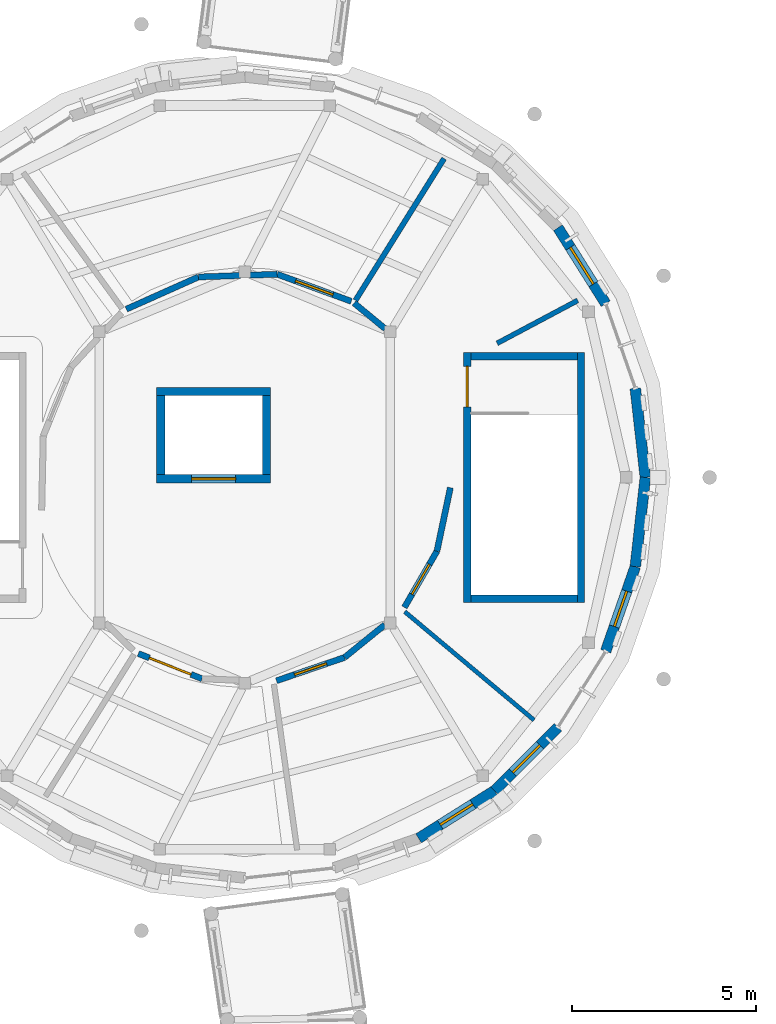
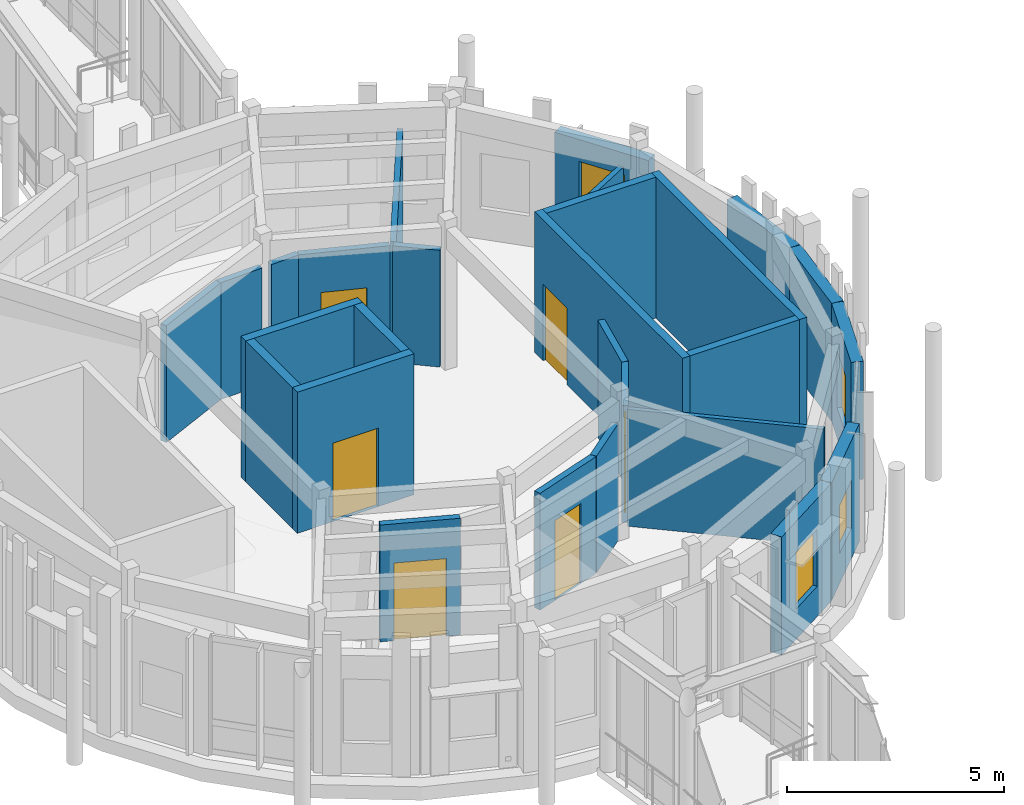
# One storey, part 46 of 80: 27 walls, 6 doors, 4 windows, 10 openings.
"""IFC4 building model written with IfcOpenShell, lengths in metres."""

from ifc_helpers import new_model, si_unit, direction, frame, frame_2d, origin, place, context, subcontext, project, spatial, rectangle, extrude, material, layer, layer_set, type_object, element, fill, save


model = new_model("IFC4")

# Units and contexts
model_context = context("Model", 3, precision=1e-05, world=origin(), true_north=direction((0.0, 1.0)))
body_context = subcontext(model_context, "Body", "Model", "MODEL_VIEW")
ifc_project = project(units=[si_unit("LENGTHUNIT", "METRE"), si_unit("AREAUNIT", "SQUARE_METRE"), si_unit("VOLUMEUNIT", "CUBIC_METRE"), si_unit("PLANEANGLEUNIT", "RADIAN"), si_unit("MASSUNIT", "GRAM", prefix="KILO")], contexts=[model_context])

# Site, building, storey
site_placement = place(None, origin())
site = spatial("IfcSite", under=ifc_project, at=site_placement, CompositionType="ELEMENT")
building_placement = place(site_placement, origin())
building = spatial("IfcBuilding", under=site, at=building_placement, Name="Aldenvaro Health Centre", CompositionType="ELEMENT")
storey_placement = place(building_placement, frame((0.0, 0.0, 4.550048828125)))
storey = spatial("IfcBuildingStorey", under=building, at=storey_placement, Name="L01", CompositionType="ELEMENT", Elevation=4.550048828125)

# Wall
ifc_material_1 = material(Name="Gypsum Stud Acoustic Assembly")
ifc_layer_1 = layer(ifc_material_1, 0.14501953125, Name="Gypsum Stud Acoustic Assembly")
ifc_layer_set_1 = layer_set([ifc_layer_1], Name="Gypsum Stud Acoustic Assembly")
wall_type_1 = type_object("IfcWallType", Name="WL-CLN-145", PredefinedType="PARTITIONING", material=ifc_layer_set_1)
wall_1_placement = place(storey_placement, frame((26.511962890625, 62.319091796875, 0.0), z_axis=(0.0, 0.0, 1.0), x_axis=(0.529892832375, 0.848064612042, 0.0)))
element("IfcWall", 1, at=wall_1_placement, inside=storey, type_object=wall_type_1, Name="D3 L01 clinical partition 1.1", PredefinedType="PARTITIONING", context=body_context, shape_type="SweptSolid", body=[
    extrude(rectangle(XDim=4.55029296875, YDim=0.14501953125, at=frame_2d((2.275146484375, 0.0))), origin(), (0.0, 0.0, 1.0), 3.279052734375),
])

# Wall, opening, door
ifc_layer_2 = layer(ifc_material_1, 0.1650390625, Name="Gypsum Stud Acoustic Assembly")
ifc_layer_set_2 = layer_set([ifc_layer_2], Name="Gypsum Stud Acoustic Assembly")
wall_type_2 = type_object("IfcWallType", Name="WL-COR-165", PredefinedType="PARTITIONING", material=ifc_layer_set_2)
wall_2_placement = place(storey_placement, frame((26.39697265625, 62.29296875, 0.0), z_axis=(0.0, 0.0, 1.0), x_axis=(-0.939190865756, 0.34339557027, 0.0)))
wall_2 = element("IfcWall", 2, at=wall_2_placement, inside=storey, type_object=wall_type_2, Name="D3 L01 corridor wall 01.1", PredefinedType="PARTITIONING", context=body_context, shape_type="SweptSolid", body=[
    extrude(rectangle(XDim=2.146484375, YDim=0.1650390625, at=frame_2d((1.0732421875, 0.0))), origin(), (0.0, 0.0, 1.0), 3.279052734375),
])
opening_1_placement = place(wall_2_placement, frame((0.532958984375, 0.0, 0.0)))
opening_1 = element("IfcOpeningElement", 3, at=opening_1_placement, cuts=wall_2, Name="Opening D-05", PredefinedType="OPENING", context=body_context, shape_type="SweptSolid", body=[
    extrude(rectangle(XDim=1.080078125, YDim=2.159912109375, at=frame_2d((0.5400390625, 1.080078125))), frame((0.0, 0.092529296875, 0.0), z_axis=(0.0, -1.0, 0.0), x_axis=(1.0, 0.0, 0.0)), (0.0, 0.0, 1.0), 0.18505859375),
])
ifc_material_2 = material(Name="Solid Core Acoustic Timber Door", Category="wood")
door_type_1 = type_object("IfcDoorType", Name="DR-CLN-05", OperationType="NOTDEFINED", PredefinedType="DOOR", material=ifc_material_2)
door_1_placement = place(opening_1_placement, origin())
door_1 = element("IfcDoor", 4, at=door_1_placement, inside=storey, type_object=door_type_1, Name="Pediatric Sensory Integration Gym Door", OperationType="SINGLE_SWING_RIGHT", OverallHeight=2.159912109375, OverallWidth=1.080078125, PredefinedType="DOOR", context=body_context, shape_type="SweptSolid", body=[
    extrude(rectangle(XDim=1.080078125, YDim=2.159912109375, at=frame_2d((0.5400390625, 1.080078125))), frame((0.0, 0.02490234375, 0.0), z_axis=(0.0, -1.0, 0.0), x_axis=(1.0, 0.0, 0.0)), (0.0, 0.0, 1.0), 0.050048828125),
])
fill(opening_1, door_1)

# Walls
wall_3_placement = place(storey_placement, frame((24.381103515625, 63.030029296875, 0.0), z_axis=(0.0, 0.0, 1.0), x_axis=(-0.999393961522, -0.034809620405, 0.0)))
element("IfcWall", 5, at=wall_3_placement, inside=storey, type_object=wall_type_2, Name="D3 L01 corridor wall 01.2", PredefinedType="PARTITIONING", context=body_context, shape_type="SweptSolid", body=[
    extrude(rectangle(XDim=0.75048828125, YDim=0.1650390625, at=frame_2d((0.375244140625, 0.0))), origin(), (0.0, 0.0, 1.0), 3.279052734375),
])
wall_4_placement = place(storey_placement, frame((23.3759765625, 62.9951171875, 0.0), z_axis=(0.0, 0.0, 1.0), x_axis=(-0.999383677093, -0.035103645972, 0.0)))
element("IfcWall", 6, at=wall_4_placement, inside=storey, type_object=wall_type_2, Name="D3 L01 corridor wall 01.3", PredefinedType="PARTITIONING", context=body_context, shape_type="SweptSolid", body=[
    extrude(rectangle(XDim=1.140625, YDim=0.1650390625, at=frame_2d((0.5703125, 0.0))), origin(), (0.0, 0.0, 1.0), 3.279052734375),
])
wall_5_placement = place(storey_placement, frame((22.236083984375, 62.955078125, 0.0), z_axis=(0.0, 0.0, 1.0), x_axis=(-0.912984379162, -0.407994513941, 0.0)))
element("IfcWall", 7, at=wall_5_placement, inside=storey, type_object=wall_type_2, Name="D3 L01 corridor wall 01.4", PredefinedType="PARTITIONING", context=body_context, shape_type="SweptSolid", body=[
    extrude(rectangle(XDim=2.14697265625, YDim=0.1650390625, at=frame_2d((1.073486328125, 0.0))), origin(), (0.0, 0.0, 1.0), 3.279052734375),
])

# Wall, opening, door
wall_6_placement = place(storey_placement, frame((20.60302734375, 52.70703125, 0.0), z_axis=(0.0, 0.0, 1.0), x_axis=(0.929969054131, -0.367637808663, 0.0)))
wall_6 = element("IfcWall", 8, at=wall_6_placement, inside=storey, type_object=wall_type_2, Name="D3 L01 corridor wall 04.1", PredefinedType="PARTITIONING", context=body_context, shape_type="SweptSolid", body=[
    extrude(rectangle(XDim=1.863525390625, YDim=0.1650390625, at=frame_2d((0.931640625, 0.0))), origin(), (0.0, 0.0, 1.0), 3.279052734375),
])
opening_2_placement = place(wall_6_placement, frame((0.321044921875, 0.0, 0.0)))
opening_2 = element("IfcOpeningElement", 9, at=opening_2_placement, cuts=wall_6, Name="Opening D-08", PredefinedType="OPENING", context=body_context, shape_type="SweptSolid", body=[
    extrude(rectangle(XDim=1.219970703125, YDim=2.179931640625, at=frame_2d((0.60986328125, 1.08984375))), frame((0.0, 0.092529296875, 0.0), z_axis=(0.0, -1.0, 0.0), x_axis=(1.0, 0.0, 0.0)), (0.0, 0.0, 1.0), 0.18505859375),
])
ifc_material_3 = material(Name="Procedure Suite Timber Door", Category="wood")
door_type_2 = type_object("IfcDoorType", Name="DR-CLN-08", OperationType="NOTDEFINED", PredefinedType="DOOR", material=ifc_material_3)
door_2_placement = place(opening_2_placement, origin())
door_2 = element("IfcDoor", 10, at=door_2_placement, inside=storey, type_object=door_type_2, Name="Pain Management Consulting Room Door", OperationType="SINGLE_SWING_RIGHT", OverallHeight=2.179931640625, OverallWidth=1.219970703125, PredefinedType="DOOR", context=body_context, shape_type="SweptSolid", body=[
    extrude(rectangle(XDim=1.219970703125, YDim=2.179931640625, at=frame_2d((0.60986328125, 1.08984375))), frame((0.0, 0.02490234375, 0.0), z_axis=(0.0, -1.0, 0.0), x_axis=(1.0, 0.0, 0.0)), (0.0, 0.0, 1.0), 0.050048828125),
])
fill(opening_2, door_2)

wall_7_placement = place(storey_placement, frame((24.362060546875, 51.967041015625, 0.0), z_axis=(0.0, 0.0, 1.0), x_axis=(0.94599509797, 0.32418092883, 0.0)))
wall_7 = element("IfcWall", 11, at=wall_7_placement, inside=storey, type_object=wall_type_2, Name="D3 L01 corridor wall 05.1", PredefinedType="PARTITIONING", context=body_context, shape_type="SweptSolid", body=[
    extrude(rectangle(XDim=1.958740234375, YDim=0.1650390625, at=frame_2d((0.9794921875, 0.0))), origin(), (0.0, 0.0, 1.0), 3.279052734375),
])
opening_3_placement = place(wall_7_placement, frame((0.52001953125, 0.0, 0.0)))
opening_3 = element("IfcOpeningElement", 12, at=opening_3_placement, cuts=wall_7, Name="Opening D-09", PredefinedType="OPENING", context=body_context, shape_type="SweptSolid", body=[
    extrude(rectangle(XDim=0.919921875, YDim=2.239990234375, at=frame_2d((0.4599609375, 1.1201171875))), frame((0.0, 0.092529296875, 0.0), z_axis=(0.0, -1.0, 0.0), x_axis=(1.0, 0.0, 0.0)), (0.0, 0.0, 1.0), 0.18505859375),
])
ifc_material_4 = material(Name="Tall Clinical Timber Door", Category="wood")
door_type_3 = type_object("IfcDoorType", Name="DR-CLN-09", OperationType="NOTDEFINED", PredefinedType="DOOR", material=ifc_material_4)
door_3_placement = place(opening_3_placement, origin())
door_3 = element("IfcDoor", 13, at=door_3_placement, inside=storey, type_object=door_type_3, Name="Rehab Care Team Workroom Door", OperationType="SINGLE_SWING_LEFT", OverallHeight=2.239990234375, OverallWidth=0.919921875, PredefinedType="DOOR", context=body_context, shape_type="SweptSolid", body=[
    extrude(rectangle(XDim=0.919921875, YDim=2.239990234375, at=frame_2d((0.4599609375, 1.1201171875))), frame((0.0, 0.02490234375, 0.0), z_axis=(0.0, -1.0, 0.0), x_axis=(1.0, 0.0, 0.0)), (0.0, 0.0, 1.0), 0.050048828125),
])
fill(opening_3, door_3)

# Wall
wall_8_placement = place(storey_placement, frame((26.215087890625, 52.60205078125, 0.0), z_axis=(0.0, 0.0, 1.0), x_axis=(0.77622027024, 0.630461808572, 0.0)))
element("IfcWall", 14, at=wall_8_placement, inside=storey, type_object=wall_type_2, Name="D3 L01 corridor wall 05.2", PredefinedType="PARTITIONING", context=body_context, shape_type="SweptSolid", body=[
    extrude(rectangle(XDim=1.4052734375, YDim=0.1650390625, at=frame_2d((0.70263671875, 0.0))), origin(), (0.0, 0.0, 1.0), 3.279052734375),
])

# Wall, opening, door
wall_9_placement = place(storey_placement, frame((27.843017578125, 53.964111328125, 0.0), z_axis=(0.0, 0.0, 1.0), x_axis=(0.500998134269, 0.865448363254, 0.0)))
wall_9 = element("IfcWall", 15, at=wall_9_placement, inside=storey, type_object=wall_type_2, Name="D3 L01 corridor wall 06.1", PredefinedType="PARTITIONING", context=body_context, shape_type="SweptSolid", body=[
    extrude(rectangle(XDim=1.7666015625, YDim=0.1650390625, at=frame_2d((0.88330078125, 0.0))), origin(), (0.0, 0.0, 1.0), 3.279052734375),
])
opening_4_placement = place(wall_9_placement, frame((0.407958984375, 0.0, 0.0)))
opening_4 = element("IfcOpeningElement", 16, at=opening_4_placement, cuts=wall_9, Name="Opening UD-02", PredefinedType="OPENING", context=body_context, shape_type="SweptSolid", body=[
    extrude(rectangle(XDim=0.949951171875, YDim=2.159912109375, at=frame_2d((0.47509765625, 1.080078125))), frame((0.0, 0.092529296875, 0.0), z_axis=(0.0, -1.0, 0.0), x_axis=(1.0, 0.0, 0.0)), (0.0, 0.0, 1.0), 0.18505859375),
])
ifc_material_5 = material(Name="Sterile Core Supply Door")
door_type_4 = type_object("IfcDoorType", Name="DR-STR-02", OperationType="NOTDEFINED", PredefinedType="DOOR", material=ifc_material_5)
door_4_placement = place(opening_4_placement, origin())
door_4 = element("IfcDoor", 17, at=door_4_placement, inside=storey, type_object=door_type_4, Name="Therapy Equipment Store Door", OperationType="SINGLE_SWING_RIGHT", OverallHeight=2.159912109375, OverallWidth=0.949951171875, PredefinedType="DOOR", context=body_context, shape_type="SweptSolid", body=[
    extrude(rectangle(XDim=0.949951171875, YDim=2.159912109375, at=frame_2d((0.47509765625, 1.080078125))), frame((0.0, 0.02490234375, 0.0), z_axis=(0.0, -1.0, 0.0), x_axis=(1.0, 0.0, 0.0)), (0.0, 0.0, 1.0), 0.050048828125),
])
fill(opening_4, door_4)

# Walls
wall_10_placement = place(storey_placement, frame((28.72802734375, 55.492919921875, 0.0), z_axis=(0.0, 0.0, 1.0), x_axis=(0.206546592113, 0.978436766116, 0.0)))
element("IfcWall", 18, at=wall_10_placement, inside=storey, type_object=wall_type_2, Name="D3 L01 corridor wall 06.2", PredefinedType="PARTITIONING", context=body_context, shape_type="SweptSolid", body=[
    extrude(rectangle(XDim=1.76708984375, YDim=0.1650390625, at=frame_2d((0.883544921875, 0.0))), origin(), (0.0, 0.0, 1.0), 3.279052734375),
])
wall_11_placement = place(storey_placement, frame((27.322021484375, 61.544921875, 0.0), z_axis=(0.0, 0.0, 1.0), x_axis=(-0.771070753982, 0.636749473775, 0.0)))
element("IfcWall", 19, at=wall_11_placement, inside=storey, type_object=wall_type_2, Name="D3 L01 corridor wall 07.1", PredefinedType="PARTITIONING", context=body_context, shape_type="SweptSolid", body=[
    extrude(rectangle(XDim=1.099609375, YDim=0.1650390625, at=frame_2d((0.5498046875, 0.0))), origin(), (0.0, 0.0, 1.0), 3.279052734375),
])
ifc_material_6 = material(Name="Cross-laminated timber CLT E1", Category="wood")
ifc_layer_3 = layer(ifc_material_6, 0.2900390625, Name="Cross-laminated timber CLT E1", Category="wood")
ifc_layer_set_3 = layer_set([ifc_layer_3], Name="Cross-laminated timber CLT E1")
wall_type_3 = type_object("IfcWallType", Name="WL-EXT-290", PredefinedType="ELEMENTEDWALL", material=ifc_layer_set_3)
wall_12_placement = place(storey_placement, frame((34.39990234375, 57.5, 0.0), z_axis=(0.0, 0.0, 1.0), x_axis=(-0.111847873866, -0.993725340882, 0.0)))
element("IfcWall", 20, at=wall_12_placement, inside=storey, type_object=wall_type_3, Name="D3 L01 exterior wall 01", PredefinedType="ELEMENTEDWALL", context=body_context, shape_type="SweptSolid", body=[
    extrude(rectangle(XDim=2.4404296875, YDim=0.2900390625, at=frame_2d((1.22021484375, 0.0))), origin(), (0.0, 0.0, 1.0), 3.31396484375),
])

# Wall, opening, window
wall_13_placement = place(storey_placement, frame((34.126953125, 55.074951171875, 0.0), z_axis=(0.0, 0.0, 1.0), x_axis=(-0.330176659411, -0.943919156274, 0.0)))
wall_13 = element("IfcWall", 21, at=wall_13_placement, inside=storey, type_object=wall_type_3, Name="D3 L01 exterior wall 02", PredefinedType="ELEMENTEDWALL", context=body_context, shape_type="SweptSolid", body=[
    extrude(rectangle(XDim=2.44091796875, YDim=0.2900390625, at=frame_2d((1.220458984375, 0.0))), origin(), (0.0, 0.0, 1.0), 3.31396484375),
])
opening_5_placement = place(wall_13_placement, frame((0.7099609375, 0.0, 0.85009765625)))
opening_5 = element("IfcOpeningElement", 22, at=opening_5_placement, cuts=wall_13, Name="Opening W-18", PredefinedType="OPENING", context=body_context, shape_type="SweptSolid", body=[
    extrude(rectangle(XDim=1.02001953125, YDim=1.60009765625, at=frame_2d((0.510009765625, 0.800048828125))), frame((0.0, 0.155029296875, 0.0), z_axis=(0.0, -1.0, 0.0), x_axis=(1.0, 0.0, 0.0)), (0.0, 0.0, 1.0), 0.31005859375),
])
ifc_material_7 = material(Name="Thermally Broken Aluminium Low-E Glass", Category="aluminium")
window_type_1 = type_object("IfcWindowType", Name="WN-EXT-18", PartitioningType="SINGLE_PANEL", PredefinedType="WINDOW", material=ifc_material_7)
window_1_placement = place(opening_5_placement, origin())
window_1 = element("IfcWindow", 23, at=window_1_placement, inside=storey, type_object=window_type_1, Name="D3 L01 clinical window 02", OverallHeight=1.60009765625, OverallWidth=1.02001953125, PartitioningType="SINGLE_PANEL", PredefinedType="WINDOW", context=body_context, shape_type="SweptSolid", body=[
    extrude(rectangle(XDim=1.02001953125, YDim=1.60009765625, at=frame_2d((0.510009765625, 0.800048828125))), frame((0.0, 0.030029296875, 0.0), z_axis=(0.0, -1.0, 0.0), x_axis=(1.0, 0.0, 0.0)), (0.0, 0.0, 1.0), 0.06005859375),
])
fill(opening_5, window_1)

wall_14_placement = place(storey_placement, frame((32.02197265625, 50.7041015625, 0.0), z_axis=(0.0, 0.0, 1.0), x_axis=(-0.707106781187, -0.707106781187, 0.0)))
wall_14 = element("IfcWall", 24, at=wall_14_placement, inside=storey, type_object=wall_type_3, Name="D3 L01 exterior wall 04", PredefinedType="ELEMENTEDWALL", context=body_context, shape_type="SweptSolid", body=[
    extrude(rectangle(XDim=2.44091796875, YDim=0.2900390625, at=frame_2d((1.220458984375, 0.0))), origin(), (0.0, 0.0, 1.0), 3.31396484375),
])
opening_6_placement = place(wall_14_placement, frame((0.695068359375, 0.0, 0.85009765625)))
opening_6 = element("IfcOpeningElement", 25, at=opening_6_placement, cuts=wall_14, Name="Opening W-19", PredefinedType="OPENING", context=body_context, shape_type="SweptSolid", body=[
    extrude(rectangle(XDim=1.050048828125, YDim=1.35009765625, at=frame_2d((0.52490234375, 0.675048828125))), frame((0.0, 0.155029296875, 0.0), z_axis=(0.0, -1.0, 0.0), x_axis=(1.0, 0.0, 0.0)), (0.0, 0.0, 1.0), 0.31005859375),
])
window_type_2 = type_object("IfcWindowType", Name="WN-EXT-19", PartitioningType="SINGLE_PANEL", PredefinedType="WINDOW", material=ifc_material_7)
window_2_placement = place(opening_6_placement, origin())
window_2 = element("IfcWindow", 26, at=window_2_placement, inside=storey, type_object=window_type_2, Name="D3 L01 clinical window 04", OverallHeight=1.35009765625, OverallWidth=1.050048828125, PartitioningType="SINGLE_PANEL", PredefinedType="WINDOW", context=body_context, shape_type="SweptSolid", body=[
    extrude(rectangle(XDim=1.050048828125, YDim=1.35009765625, at=frame_2d((0.52490234375, 0.675048828125))), frame((0.0, 0.030029296875, 0.0), z_axis=(0.0, -1.0, 0.0), x_axis=(1.0, 0.0, 0.0)), (0.0, 0.0, 1.0), 0.06005859375),
])
fill(opening_6, window_2)

wall_15_placement = place(storey_placement, frame((30.2958984375, 48.97802734375, 0.0), z_axis=(0.0, 0.0, 1.0), x_axis=(-0.846658434148, -0.532136726684, 0.0)))
wall_15 = element("IfcWall", 27, at=wall_15_placement, inside=storey, type_object=wall_type_3, Name="D3 L01 exterior wall 05", PredefinedType="ELEMENTEDWALL", context=body_context, shape_type="SweptSolid", body=[
    extrude(rectangle(XDim=2.441162109375, YDim=0.2900390625, at=frame_2d((1.220703125, 0.0))), origin(), (0.0, 0.0, 1.0), 3.31396484375),
])
opening_7_placement = place(wall_15_placement, frame((0.696044921875, 0.0, 0.85009765625)))
opening_7 = element("IfcOpeningElement", 28, at=opening_7_placement, cuts=wall_15, Name="Opening W-20", PredefinedType="OPENING", context=body_context, shape_type="SweptSolid", body=[
    extrude(rectangle(XDim=1.050048828125, YDim=1.60009765625, at=frame_2d((0.52490234375, 0.800048828125))), frame((0.0, 0.155029296875, 0.0), z_axis=(0.0, -1.0, 0.0), x_axis=(1.0, 0.0, 0.0)), (0.0, 0.0, 1.0), 0.31005859375),
])
window_type_3 = type_object("IfcWindowType", Name="WN-EXT-20", PartitioningType="SINGLE_PANEL", PredefinedType="WINDOW", material=ifc_material_7)
window_3_placement = place(opening_7_placement, origin())
window_3 = element("IfcWindow", 29, at=window_3_placement, inside=storey, type_object=window_type_3, Name="D3 L01 clinical window 05", OverallHeight=1.60009765625, OverallWidth=1.050048828125, PartitioningType="SINGLE_PANEL", PredefinedType="WINDOW", context=body_context, shape_type="SweptSolid", body=[
    extrude(rectangle(XDim=1.050048828125, YDim=1.60009765625, at=frame_2d((0.52490234375, 0.800048828125))), frame((0.0, 0.030029296875, 0.0), z_axis=(0.0, -1.0, 0.0), x_axis=(1.0, 0.0, 0.0)), (0.0, 0.0, 1.0), 0.06005859375),
])
fill(opening_7, window_3)

wall_16_placement = place(storey_placement, frame((32.02197265625, 64.2958984375, 0.0), z_axis=(0.0, 0.0, 1.0), x_axis=(0.532136726684, -0.846658434148, 0.0)))
wall_16 = element("IfcWall", 30, at=wall_16_placement, inside=storey, type_object=wall_type_3, Name="D3 L01 exterior wall 26", PredefinedType="ELEMENTEDWALL", context=body_context, shape_type="SweptSolid", body=[
    extrude(rectangle(XDim=2.441162109375, YDim=0.2900390625, at=frame_2d((1.220703125, 0.0))), origin(), (0.0, 0.0, 1.0), 3.31396484375),
])
opening_8_placement = place(wall_16_placement, frame((0.631103515625, 0.0, 0.85009765625)))
opening_8 = element("IfcOpeningElement", 31, at=opening_8_placement, cuts=wall_16, Name="Opening W-35", PredefinedType="OPENING", context=body_context, shape_type="SweptSolid", body=[
    extrude(rectangle(XDim=1.179931640625, YDim=1.85009765625, at=frame_2d((0.58984375, 0.925048828125))), frame((0.0, 0.155029296875, 0.0), z_axis=(0.0, -1.0, 0.0), x_axis=(1.0, 0.0, 0.0)), (0.0, 0.0, 1.0), 0.31005859375),
])
window_type_4 = type_object("IfcWindowType", Name="WN-EXT-35", PartitioningType="SINGLE_PANEL", PredefinedType="WINDOW", material=ifc_material_7)
window_4_placement = place(opening_8_placement, origin())
window_4 = element("IfcWindow", 32, at=window_4_placement, inside=storey, type_object=window_type_4, Name="D3 L01 clinical window 26", OverallHeight=1.85009765625, OverallWidth=1.179931640625, PartitioningType="SINGLE_PANEL", PredefinedType="WINDOW", context=body_context, shape_type="SweptSolid", body=[
    extrude(rectangle(XDim=1.179931640625, YDim=1.85009765625, at=frame_2d((0.58984375, 0.925048828125))), frame((0.0, 0.030029296875, 0.0), z_axis=(0.0, -1.0, 0.0), x_axis=(1.0, 0.0, 0.0)), (0.0, 0.0, 1.0), 0.06005859375),
])
fill(opening_8, window_4)

# Wall
wall_17_placement = place(storey_placement, frame((34.126953125, 59.925048828125, 0.0), z_axis=(0.0, 0.0, 1.0), x_axis=(0.111847873866, -0.993725340882, 0.0)))
element("IfcWall", 33, at=wall_17_placement, inside=storey, type_object=wall_type_3, Name="D3 L01 exterior wall 28", PredefinedType="ELEMENTEDWALL", context=body_context, shape_type="SweptSolid", body=[
    extrude(rectangle(XDim=2.4404296875, YDim=0.2900390625, at=frame_2d((1.22021484375, 0.0))), origin(), (0.0, 0.0, 1.0), 3.31396484375),
])

# Wall, opening, door
ifc_material_8 = material(Name="Concrete f'c 40 MPa", Category="concrete")
ifc_layer_4 = layer(ifc_material_8, 0.199951171875, Name="Concrete f'c 40 MPa", Category="concrete")
ifc_layer_set_4 = layer_set([ifc_layer_4], Name="Concrete f'c 40 MPa")
wall_type_4 = type_object("IfcWallType", Name="WL-SHAFT-200", PredefinedType="SHEAR", material=ifc_layer_set_4)
wall_18_placement = place(storey_placement, frame((29.550048828125, 60.89990234375, 0.0), z_axis=(0.0, 0.0, 1.0), x_axis=(0.0, -1.0, 0.0)))
wall_18 = element("IfcWall", 34, at=wall_18_placement, inside=storey, type_object=wall_type_4, Name="ST-05 L01 inner core wall", PredefinedType="SHEAR", context=body_context, shape_type="SweptSolid", body=[
    extrude(rectangle(XDim=6.7998046875, YDim=0.199951171875, at=frame_2d((3.39990234375, 0.0))), origin(), (0.0, 0.0, 1.0), 3.9599609375),
])
opening_9_placement = place(wall_18_placement, frame((0.3798828125, 0.0, 0.0)))
opening_9 = element("IfcOpeningElement", 35, at=opening_9_placement, cuts=wall_18, Name="Opening FD-01", PredefinedType="OPENING", context=body_context, shape_type="SweptSolid", body=[
    extrude(rectangle(XDim=1.10009765625, YDim=2.14990234375, at=frame_2d((0.550048828125, 1.074951171875))), frame((0.0, 0.10986328125, 0.0), z_axis=(0.0, -1.0, 0.0), x_axis=(1.0, 0.0, 0.0)), (0.0, 0.0, 1.0), 0.219970703125),
])
ifc_material_9 = material(Name="Fire-Rated Steel Door Assembly", Category="steel")
door_type_5 = type_object("IfcDoorType", Name="DR-STAIR-110", OperationType="NOTDEFINED", PredefinedType="DOOR", material=ifc_material_9)
door_5_placement = place(opening_9_placement, origin())
door_5 = element("IfcDoor", 36, at=door_5_placement, inside=storey, type_object=door_type_5, Name="ST-05 L01 fire stair door", OperationType="SINGLE_SWING_LEFT", OverallHeight=2.14990234375, OverallWidth=1.10009765625, PredefinedType="DOOR", context=body_context, shape_type="SweptSolid", body=[
    extrude(rectangle(XDim=1.10009765625, YDim=2.14990234375, at=frame_2d((0.550048828125, 1.074951171875))), frame((0.0, 0.02490234375, 0.0), z_axis=(0.0, -1.0, 0.0), x_axis=(1.0, 0.0, 0.0)), (0.0, 0.0, 1.0), 0.050048828125),
])
fill(opening_9, door_5)

# Walls
wall_19_placement = place(storey_placement, frame((32.64990234375, 60.89990234375, 0.0), z_axis=(0.0, 0.0, 1.0), x_axis=(0.0, -1.0, 0.0)))
element("IfcWall", 37, at=wall_19_placement, inside=storey, type_object=wall_type_4, Name="ST-05 L01 core wall OUT", PredefinedType="SHEAR", context=body_context, shape_type="SweptSolid", body=[
    extrude(rectangle(XDim=6.7998046875, YDim=0.199951171875, at=frame_2d((3.39990234375, 0.0))), origin(), (0.0, 0.0, 1.0), 3.9599609375),
])
for number, where, z_axis, x_axis, name in (
    (38, (29.64990234375, 60.800048828125, 0.0), (0.0, 0.0, 1.0), (1.0, 0.0, 0.0), "ST-05 L01 core wall L"),
    (39, (29.64990234375, 54.199951171875, 0.0), (0.0, 0.0, 1.0), (1.0, 0.0, 0.0), "ST-05 L01 core wall R"),
):
    element("IfcWall", number, at=place(storey_placement, frame(where, z_axis=z_axis, x_axis=x_axis)), inside=storey, type_object=wall_type_4, Name=name, PredefinedType="SHEAR", context=body_context, shape_type="SweptSolid", body=[
        extrude(rectangle(XDim=2.900146484375, YDim=0.199951171875, at=frame_2d((1.4501953125, 0.0))), origin(), (0.0, 0.0, 1.0), 3.9599609375),
    ])

# Wall, opening, door
ifc_layer_5 = layer(ifc_material_8, 0.22509765625, Name="Concrete f'c 40 MPa", Category="concrete")
ifc_layer_set_5 = layer_set([ifc_layer_5], Name="Concrete f'c 40 MPa")
wall_type_5 = type_object("IfcWallType", Name="WL-SHAFT-225", PredefinedType="SHEAR", material=ifc_layer_set_5)
wall_20_placement = place(storey_placement, frame((21.10009765625, 57.4619140625, 0.0), z_axis=(0.0, 0.0, 1.0), x_axis=(1.0, 0.0, 0.0)))
wall_20 = element("IfcWall", 40, at=wall_20_placement, inside=storey, type_object=wall_type_5, Name="LF-03 L01 lift shaft front wall", PredefinedType="SHEAR", context=body_context, shape_type="SweptSolid", body=[
    extrude(rectangle(XDim=3.099853515625, YDim=0.22509765625, at=frame_2d((1.5498046875, 0.0))), origin(), (0.0, 0.0, 1.0), 3.9599609375),
])
opening_10_placement = place(wall_20_placement, frame((0.949951171875, 0.0, 0.0)))
opening_10 = element("IfcOpeningElement", 41, at=opening_10_placement, cuts=wall_20, Name="Opening LD-01", PredefinedType="OPENING", context=body_context, shape_type="SweptSolid", body=[
    extrude(rectangle(XDim=1.199951171875, YDim=2.199951171875, at=frame_2d((0.60009765625, 1.10009765625))), frame((0.0, 0.12255859375, 0.0), z_axis=(0.0, -1.0, 0.0), x_axis=(1.0, 0.0, 0.0)), (0.0, 0.0, 1.0), 0.2451171875),
])
ifc_material_10 = material(Name="Stainless Steel Lift Landing Door", Category="steel")
door_type_6 = type_object("IfcDoorType", Name="DR-LIFT-120", OperationType="DOUBLE_DOOR_SLIDING", PredefinedType="DOOR", material=ifc_material_10)
door_6_placement = place(opening_10_placement, origin())
door_6 = element("IfcDoor", 42, at=door_6_placement, inside=storey, type_object=door_type_6, Name="Lift LF-03 L01 Sliding Landing Door", OperationType="DOUBLE_DOOR_SLIDING", OverallHeight=2.199951171875, OverallWidth=1.199951171875, PredefinedType="DOOR", context=body_context, shape_type="SweptSolid", body=[
    extrude(rectangle(XDim=1.199951171875, YDim=2.199951171875, at=frame_2d((0.60009765625, 1.10009765625))), frame((0.0, 0.02490234375, 0.0), z_axis=(0.0, -1.0, 0.0), x_axis=(1.0, 0.0, 0.0)), (0.0, 0.0, 1.0), 0.050048828125),
])
fill(opening_10, door_6)

# Walls
wall_21_placement = place(storey_placement, frame((21.10009765625, 59.8369140625, 0.0), z_axis=(0.0, 0.0, 1.0), x_axis=(1.0, 0.0, 0.0)))
element("IfcWall", 43, at=wall_21_placement, inside=storey, type_object=wall_type_5, Name="LF-03 L01 lift shaft rear wall", PredefinedType="SHEAR", context=body_context, shape_type="SweptSolid", body=[
    extrude(rectangle(XDim=3.099853515625, YDim=0.22509765625, at=frame_2d((1.5498046875, 0.0))), origin(), (0.0, 0.0, 1.0), 3.9599609375),
])
for number, where, z_axis, x_axis, name in (
    (44, (21.2119140625, 57.574951171875, 0.0), (0.0, 0.0, 1.0), (0.0, 1.0, 0.0), "LF-03 L01 lift shaft side wall L"),
    (45, (24.0869140625, 57.574951171875, 0.0), (0.0, 0.0, 1.0), (0.0, 1.0, 0.0), "LF-03 L01 lift shaft side wall R"),
):
    element("IfcWall", number, at=place(storey_placement, frame(where, z_axis=z_axis, x_axis=x_axis)), inside=storey, type_object=wall_type_5, Name=name, PredefinedType="SHEAR", context=body_context, shape_type="SweptSolid", body=[
        extrude(rectangle(XDim=2.150146484375, YDim=0.22509765625, at=frame_2d((1.0751953125, 0.0))), origin(), (0.0, 0.0, 1.0), 3.9599609375),
    ])
ifc_material_11 = material(Name="Light Gauge Steel Stud Partition", Category="steel")
ifc_layer_6 = layer(ifc_material_11, 0.114990234375, Name="Light Gauge Steel Stud Partition", Category="steel")
ifc_layer_set_6 = layer_set([ifc_layer_6], Name="Light Gauge Steel Stud Partition")
wall_type_6 = type_object("IfcWallType", Name="WL-SUB-115", PredefinedType="PARTITIONING", material=ifc_layer_set_6)
wall_22_placement = place(storey_placement, frame((27.85302734375, 53.846923828125, 0.0), z_axis=(0.0, 0.0, 1.0), x_axis=(0.766177182771, -0.64262938355, 0.0)))
element("IfcWall", 46, at=wall_22_placement, inside=storey, type_object=wall_type_6, Name="D3 L01 clinical partition 6.1", PredefinedType="PARTITIONING", context=body_context, shape_type="SweptSolid", body=[
    extrude(rectangle(XDim=4.59033203125, YDim=0.114990234375, at=frame_2d((2.295166015625, 0.0))), origin(), (0.0, 0.0, 1.0), 3.279052734375),
])
ifc_material_12 = material(Name="Moisture-Resistant Plumbing Stud Wall")
ifc_layer_7 = layer(ifc_material_12, 0.135009765625, Name="Moisture-Resistant Plumbing Stud Wall")
ifc_layer_set_7 = layer_set([ifc_layer_7], Name="Moisture-Resistant Plumbing Stud Wall")
wall_type_7 = type_object("IfcWallType", Name="WL-WET-135", PredefinedType="PLUMBINGWALL", material=ifc_layer_set_7)
wall_23_placement = place(storey_placement, frame((30.364990234375, 61.14990234375, 0.0), z_axis=(0.0, 0.0, 1.0), x_axis=(0.882885388192, 0.469588534056, 0.0)))
element("IfcWall", 47, at=wall_23_placement, inside=storey, type_object=wall_type_7, Name="D3 L01 clinical partition 7.1", PredefinedType="PLUMBINGWALL", context=body_context, shape_type="SweptSolid", body=[
    extrude(rectangle(XDim=2.485107421875, YDim=0.135009765625, at=frame_2d((1.24267578125, 0.0))), origin(), (0.0, 0.0, 1.0), 3.279052734375),
])

save(model, "model.ifc")
